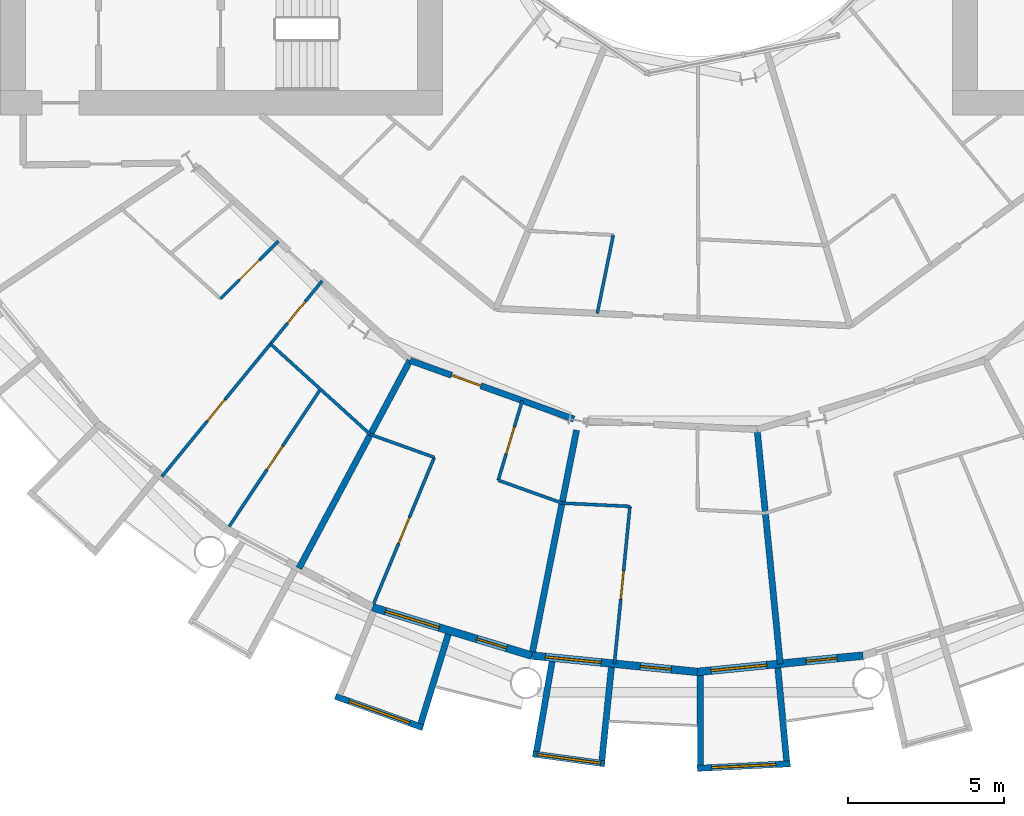
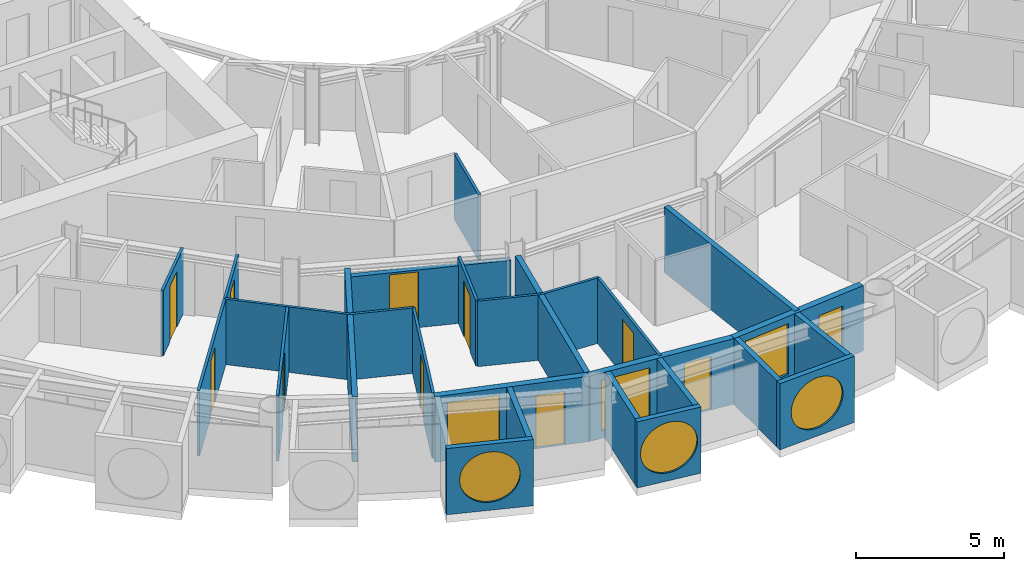
# One storey, part 13 of 25: 26 walls, 11 doors, 6 windows, 17 openings.
"""IFC4 building model written with IfcOpenShell, lengths in metres."""

from ifc_helpers import new_model, si_unit, direction, frame, frame_2d, origin, place, context, subcontext, project, spatial, rectangle, circle, extrude, material, layer, layer_set, type_object, element, fill, save


model = new_model("IFC4")

# Units and contexts
model_context = context("Model", 3, precision=1e-05, world=origin(), true_north=direction((0.0, 1.0)))
body_context = subcontext(model_context, "Body", "Model", "MODEL_VIEW")
ifc_project = project(units=[si_unit("LENGTHUNIT", "METRE"), si_unit("AREAUNIT", "SQUARE_METRE"), si_unit("VOLUMEUNIT", "CUBIC_METRE"), si_unit("PLANEANGLEUNIT", "RADIAN"), si_unit("MASSUNIT", "GRAM", prefix="KILO")], contexts=[model_context])

# Site, building, storey
site_placement = place(None, origin())
site = spatial("IfcSite", under=ifc_project, at=site_placement, CompositionType="ELEMENT")
building_placement = place(site_placement, origin())
building = spatial("IfcBuilding", under=site, at=building_placement, Name="Maasbend Ring Residences", CompositionType="ELEMENT")
storey_placement = place(building_placement, frame((0.0, 0.0, 41.10009765625)))
storey = spatial("IfcBuildingStorey", under=building, at=storey_placement, Name="L11", CompositionType="ELEMENT", Elevation=41.10009765625)

# Wall, opening, door
ifc_material_1 = material(Name="Concrete C30/37", Category="concrete")
ifc_layer_1 = layer(ifc_material_1, 0.199951171875)
ifc_layer_set_1 = layer_set([ifc_layer_1], Name="Concrete C30/37")
wall_type_1 = type_object("IfcWallType", Name="CORRIDOR WALL 200 CONCRETE", PredefinedType="PARTITIONING", material=ifc_layer_set_1)
wall_1_placement = place(storey_placement, frame((-9.239013671875, -17.285888671875, 0.0), z_axis=(0.0, 0.0, 1.0), x_axis=(0.94157995483, -0.336789531699, 0.0)))
wall_1 = element("IfcWall", 1, at=wall_1_placement, inside=storey, type_object=wall_type_1, Name="U-L11-w013", PredefinedType="PARTITIONING", context=body_context, shape_type="SweptSolid", body=[
    extrude(rectangle(XDim=5.596923828125, YDim=0.199951171875, at=frame_2d((2.79833984375, 0.0))), origin(), (0.0, 0.0, 1.0), 2.3798828125),
])
opening_1_placement = place(wall_1_placement, frame((1.4169921875, 0.0, 0.0)))
opening_1 = element("IfcOpeningElement", 2, at=opening_1_placement, cuts=wall_1, Name="Opening D-1141", PredefinedType="OPENING", context=body_context, shape_type="SweptSolid", body=[
    extrude(rectangle(XDim=1.0, YDim=2.300048828125, at=frame_2d((0.5, 1.14990234375))), frame((0.0, 0.10986328125, 0.0), z_axis=(0.0, -1.0, 0.0), x_axis=(1.0, 0.0, 0.0)), (0.0, 0.0, 1.0), 0.219970703125),
])
ifc_material_2 = material(Name="Timber, fire-rated, painted", Category="wood")
door_type_1 = type_object("IfcDoorType", Name="FLAT ENTRANCE DOOR 1000 X 2300 FIRE-RATED", OperationType="NOTDEFINED", PredefinedType="DOOR", material=ifc_material_2)
door_1_placement = place(opening_1_placement, origin())
door_1 = element("IfcDoor", 3, at=door_1_placement, inside=storey, type_object=door_type_1, Name="D-1141", OperationType="SINGLE_SWING_LEFT", OverallHeight=2.300048828125, OverallWidth=1.0, PredefinedType="DOOR", context=body_context, shape_type="SweptSolid", body=[
    extrude(rectangle(XDim=1.0, YDim=2.300048828125, at=frame_2d((0.5, 1.14990234375))), frame((0.0, 0.02490234375, 0.0), z_axis=(0.0, -1.0, 0.0), x_axis=(1.0, 0.0, 0.0)), (0.0, 0.0, 1.0), 0.050048828125),
])
fill(opening_1, door_1)

# Wall, opening, window
ifc_material_3 = material(Name="Pale anodised aluminium panel", Category="aluminium")
ifc_layer_2 = layer(ifc_material_3, 0.199951171875)
ifc_layer_set_2 = layer_set([ifc_layer_2], Name="EW-BOX")
wall_type_2 = type_object("IfcWallType", Name="EW-BOX", PredefinedType="SOLIDWALL", material=ifc_layer_set_2)
wall_2_placement = place(storey_placement, frame((-11.637939453125, -28.083984375, -0.030029296875), z_axis=(0.0, 0.0, 1.0), x_axis=(0.941461077774, -0.337121697664, 0.0)))
wall_2 = element("IfcWall", 4, at=wall_2_placement, inside=storey, type_object=wall_type_2, Name="Box front S07", PredefinedType="SOLIDWALL", context=body_context, shape_type="SweptSolid", body=[
    extrude(rectangle(XDim=2.9931640625, YDim=0.199951171875, at=frame_2d((1.49658203125, 0.0))), origin(), (0.0, 0.0, 1.0), 2.72998046875),
])
opening_2_placement = place(wall_2_placement, frame((0.45654296875, 0.0, 0.330078125)))
opening_2 = element("IfcOpeningElement", 5, at=opening_2_placement, cuts=wall_2, Name="Opening W-RD", PredefinedType="OPENING", context=body_context, shape_type="SweptSolid", body=[
    extrude(circle(Radius=1.0400390625, at=frame_2d((1.0400390625, 1.0400390625))), frame((0.0, 0.10986328125, 0.0), z_axis=(0.0, -1.0, 0.0), x_axis=(1.0, 0.0, 0.0)), (0.0, 0.0, 1.0), 0.219970703125),
])
ifc_material_4 = material(Name="Aluminium and clear glass", Category="aluminium")
window_type_1 = type_object("IfcWindowType", Name="W-RD", PartitioningType="SINGLE_PANEL", PredefinedType="WINDOW", material=ifc_material_4)
window_1_placement = place(opening_2_placement, origin())
window_1 = element("IfcWindow", 6, at=window_1_placement, inside=storey, type_object=window_type_1, Name="Round window S07", OverallHeight=2.080078125, OverallWidth=2.080078125, PartitioningType="SINGLE_PANEL", PredefinedType="WINDOW", context=body_context, shape_type="SweptSolid", body=[
    extrude(circle(Radius=1.0400390625, at=frame_2d((1.0400390625, 1.0400390625))), frame((0.0, 0.030029296875, 0.0), z_axis=(0.0, -1.0, 0.0), x_axis=(1.0, 0.0, 0.0)), (0.0, 0.0, 1.0), 0.06005859375),
])
fill(opening_2, window_1)

# Wall
wall_3_placement = place(storey_placement, frame((-8.009033203125, -26.092041015625, -0.030029296875), z_axis=(0.0, 0.0, 1.0), x_axis=(-0.293406695073, -0.955987715029, 0.0)))
element("IfcWall", 7, at=wall_3_placement, inside=storey, type_object=wall_type_2, Name="Box side wall S07 right", PredefinedType="SOLIDWALL", context=body_context, shape_type="SweptSolid", body=[
    extrude(rectangle(XDim=3.00634765625, YDim=0.199951171875, at=frame_2d((1.503173828125, 0.0))), origin(), (0.0, 0.0, 1.0), 2.72998046875),
])

# Wall, opening, window
wall_4_placement = place(storey_placement, frame((-5.2900390625, -29.93603515625, -0.030029296875), z_axis=(0.0, 0.0, 1.0), x_axis=(0.990696111261, -0.136092671119, 0.0)))
wall_4 = element("IfcWall", 8, at=wall_4_placement, inside=storey, type_object=wall_type_2, Name="Box front S09", PredefinedType="SOLIDWALL", context=body_context, shape_type="SweptSolid", body=[
    extrude(rectangle(XDim=2.335693359375, YDim=0.199951171875, at=frame_2d((1.16796875, 0.0))), origin(), (0.0, 0.0, 1.0), 2.72998046875),
])
opening_3_placement = place(wall_4_placement, frame((0.128173828125, 0.0, 0.330078125)))
opening_3 = element("IfcOpeningElement", 9, at=opening_3_placement, cuts=wall_4, Name="Opening W-RD", PredefinedType="OPENING", context=body_context, shape_type="SweptSolid", body=[
    extrude(circle(Radius=1.0400390625, at=frame_2d((1.0400390625, 1.0400390625))), frame((0.0, 0.10986328125, 0.0), z_axis=(0.0, -1.0, 0.0), x_axis=(1.0, 0.0, 0.0)), (0.0, 0.0, 1.0), 0.219970703125),
])
window_2_placement = place(opening_3_placement, origin())
window_2 = element("IfcWindow", 10, at=window_2_placement, inside=storey, type_object=window_type_1, Name="Round window S09", OverallHeight=2.080078125, OverallWidth=2.080078125, PartitioningType="SINGLE_PANEL", PredefinedType="WINDOW", context=body_context, shape_type="SweptSolid", body=[
    extrude(circle(Radius=1.0400390625, at=frame_2d((1.0400390625, 1.0400390625))), frame((0.0, 0.030029296875, 0.0), z_axis=(0.0, -1.0, 0.0), x_axis=(1.0, 0.0, 0.0)), (0.0, 0.0, 1.0), 0.06005859375),
])
fill(opening_3, window_2)

# Walls
wall_5_placement = place(storey_placement, frame((-4.6708984375, -26.966064453125, -0.030029296875), z_axis=(0.0, 0.0, 1.0), x_axis=(-0.170539878907, -0.985350774954, 0.0)))
element("IfcWall", 11, at=wall_5_placement, inside=storey, type_object=wall_type_2, Name="Box side wall S09 left", PredefinedType="SOLIDWALL", context=body_context, shape_type="SweptSolid", body=[
    extrude(rectangle(XDim=2.931884765625, YDim=0.199951171875, at=frame_2d((1.4658203125, 0.0))), origin(), (0.0, 0.0, 1.0), 2.72998046875),
])
wall_6_placement = place(storey_placement, frame((-2.763916015625, -27.153076171875, -0.030029296875), z_axis=(0.0, 0.0, 1.0), x_axis=(-0.101505487237, -0.994834979311, 0.0)))
element("IfcWall", 12, at=wall_6_placement, inside=storey, type_object=wall_type_2, Name="Box side wall S09 right", PredefinedType="SOLIDWALL", context=body_context, shape_type="SweptSolid", body=[
    extrude(rectangle(XDim=3.006591796875, YDim=0.199951171875, at=frame_2d((1.50341796875, 0.0))), origin(), (0.0, 0.0, 1.0), 2.72998046875),
])

# Wall, opening, window
wall_7_placement = place(storey_placement, frame((-0.0048828125, -30.39990234375, -0.030029296875), z_axis=(0.0, 0.0, 1.0), x_axis=(0.998794083011, 0.049095618353, 0.0)))
wall_7 = element("IfcWall", 13, at=wall_7_placement, inside=storey, type_object=wall_type_2, Name="Box front S11", PredefinedType="SOLIDWALL", context=body_context, shape_type="SweptSolid", body=[
    extrude(rectangle(XDim=2.99365234375, YDim=0.199951171875, at=frame_2d((1.496826171875, 0.0))), origin(), (0.0, 0.0, 1.0), 2.72998046875),
])
opening_4_placement = place(wall_7_placement, frame((0.45654296875, 0.0, 0.330078125)))
opening_4 = element("IfcOpeningElement", 14, at=opening_4_placement, cuts=wall_7, Name="Opening W-RD", PredefinedType="OPENING", context=body_context, shape_type="SweptSolid", body=[
    extrude(circle(Radius=1.0400390625, at=frame_2d((1.0400390625, 1.0400390625))), frame((0.0, 0.10986328125, 0.0), z_axis=(0.0, -1.0, 0.0), x_axis=(1.0, 0.0, 0.0)), (0.0, 0.0, 1.0), 0.219970703125),
])
window_3_placement = place(opening_4_placement, origin())
window_3 = element("IfcWindow", 15, at=window_3_placement, inside=storey, type_object=window_type_1, Name="Round window S11", OverallHeight=2.080078125, OverallWidth=2.080078125, PartitioningType="SINGLE_PANEL", PredefinedType="WINDOW", context=body_context, shape_type="SweptSolid", body=[
    extrude(circle(Radius=1.0400390625, at=frame_2d((1.0400390625, 1.0400390625))), frame((0.0, 0.030029296875, 0.0), z_axis=(0.0, -1.0, 0.0), x_axis=(1.0, 0.0, 0.0)), (0.0, 0.0, 1.0), 0.06005859375),
])
fill(opening_4, window_3)

# Walls
wall_8_placement = place(storey_placement, frame((0.090087890625, -27.4169921875, -0.030029296875), z_axis=(0.0, 0.0, 1.0), x_axis=(0.00347308367, -0.999993968827, 0.0)))
element("IfcWall", 16, at=wall_8_placement, inside=storey, type_object=wall_type_2, Name="Box side wall S11 left", PredefinedType="SOLIDWALL", context=body_context, shape_type="SweptSolid", body=[
    extrude(rectangle(XDim=2.882080078125, YDim=0.199951171875, at=frame_2d((1.44091796875, 0.0))), origin(), (0.0, 0.0, 1.0), 2.72998046875),
])
wall_9_placement = place(storey_placement, frame((2.5859375, -27.1708984375, -0.030029296875), z_axis=(0.0, 0.0, 1.0), x_axis=(0.094548432284, -0.995520262954, 0.0)))
element("IfcWall", 17, at=wall_9_placement, inside=storey, type_object=wall_type_2, Name="Box side wall S11 right", PredefinedType="SOLIDWALL", context=body_context, shape_type="SweptSolid", body=[
    extrude(rectangle(XDim=3.005615234375, YDim=0.199951171875, at=frame_2d((1.5029296875, 0.0))), origin(), (0.0, 0.0, 1.0), 2.72998046875),
])

# Wall, openings, door, window
ifc_material_5 = material(Name="Aluminium clad insulated panel", Category="aluminium")
ifc_layer_3 = layer(ifc_material_5, 0.25)
ifc_layer_set_3 = layer_set([ifc_layer_3], Name="EW-GL")
wall_type_3 = type_object("IfcWallType", Name="EW-GL", PredefinedType="SOLIDWALL", material=ifc_layer_set_3)
wall_10_placement = place(storey_placement, frame((-10.447021484375, -25.221923828125, 0.0), z_axis=(0.0, 0.0, 1.0), x_axis=(0.956965678721, -0.290201119486, 0.0)))
wall_10 = element("IfcWall", 18, at=wall_10_placement, inside=storey, type_object=wall_type_3, Name="External wall S04", PredefinedType="SOLIDWALL", context=body_context, shape_type="SweptSolid", body=[
    extrude(rectangle(XDim=5.351318359375, YDim=0.25, at=frame_2d((2.67578125, 0.0))), origin(), (0.0, 0.0, 1.0), 2.699951171875),
])
opening_5_placement = place(wall_10_placement, frame((0.441162109375, 0.0, 0.300048828125)))
opening_5 = element("IfcOpeningElement", 19, at=opening_5_placement, cuts=wall_10, Name="Opening W-BX", PredefinedType="OPENING", context=body_context, shape_type="SweptSolid", body=[
    extrude(rectangle(XDim=1.800048828125, YDim=2.10009765625, at=frame_2d((0.89990234375, 1.050048828125))), frame((0.0, 0.135009765625, 0.0), z_axis=(0.0, -1.0, 0.0), x_axis=(1.0, 0.0, 0.0)), (0.0, 0.0, 1.0), 0.27001953125),
])
opening_6_placement = place(wall_10_placement, frame((3.510498046875, 0.0, 0.0)))
opening_6 = element("IfcOpeningElement", 20, at=opening_6_placement, cuts=wall_10, Name="Opening D-LG", PredefinedType="OPENING", context=body_context, shape_type="SweptSolid", body=[
    extrude(rectangle(XDim=1.0, YDim=2.199951171875, at=frame_2d((0.5, 1.10009765625))), frame((0.0, 0.135009765625, 0.0), z_axis=(0.0, -1.0, 0.0), x_axis=(1.0, 0.0, 0.0)), (0.0, 0.0, 1.0), 0.27001953125),
])
ifc_material_6 = material(Name="Aluminium and clear glass", Category="aluminium")
door_type_2 = type_object("IfcDoorType", Name="D-LG", OperationType="SINGLE_SWING_LEFT", PredefinedType="DOOR", material=ifc_material_6)
door_2_placement = place(opening_6_placement, origin())
door_2 = element("IfcDoor", 21, at=door_2_placement, inside=storey, type_object=door_type_2, Name="Loggia door S08", OperationType="SINGLE_SWING_LEFT", OverallHeight=2.199951171875, OverallWidth=1.0, PredefinedType="DOOR", context=body_context, shape_type="SweptSolid", body=[
    extrude(rectangle(XDim=1.0, YDim=2.199951171875, at=frame_2d((0.5, 1.10009765625))), frame((0.0, 0.02490234375, 0.0), z_axis=(0.0, -1.0, 0.0), x_axis=(1.0, 0.0, 0.0)), (0.0, 0.0, 1.0), 0.050048828125),
])
fill(opening_6, door_2)
ifc_material_7 = material(Name="Aluminium and clear glass", Category="aluminium")
window_type_2 = type_object("IfcWindowType", Name="W-BX", PartitioningType="DOUBLE_PANEL_VERTICAL", PredefinedType="WINDOW", material=ifc_material_7)
window_4_placement = place(opening_5_placement, origin())
window_4 = element("IfcWindow", 22, at=window_4_placement, inside=storey, type_object=window_type_2, Name="Window S07 room to box", OverallHeight=2.10009765625, OverallWidth=1.800048828125, PartitioningType="SINGLE_PANEL", PredefinedType="WINDOW", context=body_context, shape_type="SweptSolid", body=[
    extrude(rectangle(XDim=1.800048828125, YDim=2.10009765625, at=frame_2d((0.89990234375, 1.050048828125))), frame((0.0, 0.030029296875, 0.0), z_axis=(0.0, -1.0, 0.0), x_axis=(1.0, 0.0, 0.0)), (0.0, 0.0, 1.0), 0.06005859375),
])
fill(opening_5, window_4)

wall_11_placement = place(storey_placement, frame((-5.325927734375, -26.77490234375, 0.0), z_axis=(0.0, 0.0, 1.0), x_axis=(0.995173996315, -0.098126026407, 0.0)))
wall_11 = element("IfcWall", 23, at=wall_11_placement, inside=storey, type_object=wall_type_3, Name="External wall S05", PredefinedType="SOLIDWALL", context=body_context, shape_type="SweptSolid", body=[
    extrude(rectangle(XDim=5.351806640625, YDim=0.25, at=frame_2d((2.67578125, 0.0))), origin(), (0.0, 0.0, 1.0), 2.699951171875),
])
opening_7_placement = place(wall_11_placement, frame((0.441162109375, 0.0, 0.300048828125)))
opening_7 = element("IfcOpeningElement", 24, at=opening_7_placement, cuts=wall_11, Name="Opening W-BX", PredefinedType="OPENING", context=body_context, shape_type="SweptSolid", body=[
    extrude(rectangle(XDim=1.800048828125, YDim=2.10009765625, at=frame_2d((0.89990234375, 1.050048828125))), frame((0.0, 0.135009765625, 0.0), z_axis=(0.0, -1.0, 0.0), x_axis=(1.0, 0.0, 0.0)), (0.0, 0.0, 1.0), 0.27001953125),
])
opening_8_placement = place(wall_11_placement, frame((3.510498046875, 0.0, 0.0)))
opening_8 = element("IfcOpeningElement", 25, at=opening_8_placement, cuts=wall_11, Name="Opening D-LG", PredefinedType="OPENING", context=body_context, shape_type="SweptSolid", body=[
    extrude(rectangle(XDim=1.0, YDim=2.199951171875, at=frame_2d((0.5, 1.10009765625))), frame((0.0, 0.135009765625, 0.0), z_axis=(0.0, -1.0, 0.0), x_axis=(1.0, 0.0, 0.0)), (0.0, 0.0, 1.0), 0.27001953125),
])
door_3_placement = place(opening_8_placement, origin())
door_3 = element("IfcDoor", 26, at=door_3_placement, inside=storey, type_object=door_type_2, Name="Loggia door S10", OperationType="SINGLE_SWING_LEFT", OverallHeight=2.199951171875, OverallWidth=1.0, PredefinedType="DOOR", context=body_context, shape_type="SweptSolid", body=[
    extrude(rectangle(XDim=1.0, YDim=2.199951171875, at=frame_2d((0.5, 1.10009765625))), frame((0.0, 0.02490234375, 0.0), z_axis=(0.0, -1.0, 0.0), x_axis=(1.0, 0.0, 0.0)), (0.0, 0.0, 1.0), 0.050048828125),
])
fill(opening_8, door_3)
window_5_placement = place(opening_7_placement, origin())
window_5 = element("IfcWindow", 27, at=window_5_placement, inside=storey, type_object=window_type_2, Name="Window S09 room to box", OverallHeight=2.10009765625, OverallWidth=1.800048828125, PartitioningType="SINGLE_PANEL", PredefinedType="WINDOW", context=body_context, shape_type="SweptSolid", body=[
    extrude(rectangle(XDim=1.800048828125, YDim=2.10009765625, at=frame_2d((0.89990234375, 1.050048828125))), frame((0.0, 0.030029296875, 0.0), z_axis=(0.0, -1.0, 0.0), x_axis=(1.0, 0.0, 0.0)), (0.0, 0.0, 1.0), 0.06005859375),
])
fill(opening_7, window_5)

wall_12_placement = place(storey_placement, frame((0.0, -27.300048828125, 0.0), z_axis=(0.0, 0.0, 1.0), x_axis=(0.995173996315, 0.098126026407, 0.0)))
wall_12 = element("IfcWall", 28, at=wall_12_placement, inside=storey, type_object=wall_type_3, Name="External wall S06", PredefinedType="SOLIDWALL", context=body_context, shape_type="SweptSolid", body=[
    extrude(rectangle(XDim=5.351806640625, YDim=0.25, at=frame_2d((2.67578125, 0.0))), origin(), (0.0, 0.0, 1.0), 2.699951171875),
])
opening_9_placement = place(wall_12_placement, frame((0.441162109375, 0.0, 0.300048828125)))
opening_9 = element("IfcOpeningElement", 29, at=opening_9_placement, cuts=wall_12, Name="Opening W-BX", PredefinedType="OPENING", context=body_context, shape_type="SweptSolid", body=[
    extrude(rectangle(XDim=1.800048828125, YDim=2.10009765625, at=frame_2d((0.89990234375, 1.050048828125))), frame((0.0, 0.135009765625, 0.0), z_axis=(0.0, -1.0, 0.0), x_axis=(1.0, 0.0, 0.0)), (0.0, 0.0, 1.0), 0.27001953125),
])
opening_10_placement = place(wall_12_placement, frame((3.510498046875, 0.0, 0.0)))
opening_10 = element("IfcOpeningElement", 30, at=opening_10_placement, cuts=wall_12, Name="Opening D-LG", PredefinedType="OPENING", context=body_context, shape_type="SweptSolid", body=[
    extrude(rectangle(XDim=1.0, YDim=2.199951171875, at=frame_2d((0.5, 1.10009765625))), frame((0.0, 0.135009765625, 0.0), z_axis=(0.0, -1.0, 0.0), x_axis=(1.0, 0.0, 0.0)), (0.0, 0.0, 1.0), 0.27001953125),
])
door_4_placement = place(opening_10_placement, origin())
door_4 = element("IfcDoor", 31, at=door_4_placement, inside=storey, type_object=door_type_2, Name="Loggia door S12", OperationType="SINGLE_SWING_LEFT", OverallHeight=2.199951171875, OverallWidth=1.0, PredefinedType="DOOR", context=body_context, shape_type="SweptSolid", body=[
    extrude(rectangle(XDim=1.0, YDim=2.199951171875, at=frame_2d((0.5, 1.10009765625))), frame((0.0, 0.02490234375, 0.0), z_axis=(0.0, -1.0, 0.0), x_axis=(1.0, 0.0, 0.0)), (0.0, 0.0, 1.0), 0.050048828125),
])
fill(opening_10, door_4)
window_6_placement = place(opening_9_placement, origin())
window_6 = element("IfcWindow", 32, at=window_6_placement, inside=storey, type_object=window_type_2, Name="Window S11 room to box", OverallHeight=2.10009765625, OverallWidth=1.800048828125, PartitioningType="SINGLE_PANEL", PredefinedType="WINDOW", context=body_context, shape_type="SweptSolid", body=[
    extrude(rectangle(XDim=1.800048828125, YDim=2.10009765625, at=frame_2d((0.89990234375, 1.050048828125))), frame((0.0, 0.030029296875, 0.0), z_axis=(0.0, -1.0, 0.0), x_axis=(1.0, 0.0, 0.0)), (0.0, 0.0, 1.0), 0.06005859375),
])
fill(opening_9, window_6)

# Walls
ifc_material_8 = material(Name="Gypsum board on steel studs", Category="steel")
ifc_layer_4 = layer(ifc_material_8, 0.10009765625)
ifc_layer_set_4 = layer_set([ifc_layer_4], Name="PARTITION 100 GYPSUM")
wall_type_4 = type_object("IfcWallType", Name="PARTITION 100 GYPSUM", PredefinedType="PARTITIONING", material=ifc_layer_set_4)
wall_13_placement = place(storey_placement, frame((-10.511962890625, -19.6669921875, 0.0), z_axis=(0.0, 0.0, 1.0), x_axis=(0.94151635689, -0.336967282847, 0.0)))
element("IfcWall", 33, at=wall_13_placement, inside=storey, type_object=wall_type_4, Name="U-L11-w001", PredefinedType="PARTITIONING", context=body_context, shape_type="SweptSolid", body=[
    extrude(rectangle(XDim=2.181640625, YDim=0.10009765625, at=frame_2d((1.0908203125, 0.0))), origin(), (0.0, 0.0, 1.0), 2.699951171875),
])
wall_14_placement = place(storey_placement, frame((-6.40087890625, -21.137939453125, 0.0), z_axis=(0.0, 0.0, 1.0), x_axis=(0.941465495635, -0.337109359895, 0.0)))
element("IfcWall", 34, at=wall_14_placement, inside=storey, type_object=wall_type_4, Name="U-L11-w002", PredefinedType="PARTITIONING", context=body_context, shape_type="SweptSolid", body=[
    extrude(rectangle(XDim=2.1806640625, YDim=0.10009765625, at=frame_2d((1.09033203125, 0.0))), origin(), (0.0, 0.0, 1.0), 2.699951171875),
])
wall_15_placement = place(storey_placement, frame((-4.35107421875, -21.8720703125, 0.0), z_axis=(0.0, 0.0, 1.0), x_axis=(0.998797962079, -0.049016639484, 0.0)))
element("IfcWall", 35, at=wall_15_placement, inside=storey, type_object=wall_type_4, Name="U-L11-w003", PredefinedType="PARTITIONING", context=body_context, shape_type="SweptSolid", body=[
    extrude(rectangle(XDim=2.181640625, YDim=0.10009765625, at=frame_2d((1.0908203125, 0.0))), origin(), (0.0, 0.0, 1.0), 2.699951171875),
])
wall_16_placement = place(storey_placement, frame((-13.72705078125, -16.75390625, 0.0), z_axis=(0.0, 0.0, 1.0), x_axis=(0.740840803797, -0.671680655839, 0.0)))
element("IfcWall", 36, at=wall_16_placement, inside=storey, type_object=wall_type_4, Name="U-L11-w010", PredefinedType="PARTITIONING", context=body_context, shape_type="SweptSolid", body=[
    extrude(rectangle(XDim=4.33837890625, YDim=0.10009765625, at=frame_2d((2.169189453125, 0.0))), origin(), (0.0, 0.0, 1.0), 2.699951171875),
])

# Wall, openings, doors
wall_17_placement = place(storey_placement, frame((-17.219970703125, -21.02197265625, 0.0), z_axis=(0.0, 0.0, 1.0), x_axis=(0.633794691983, 0.773501317655, 0.0)))
wall_17 = element("IfcWall", 37, at=wall_17_placement, inside=storey, type_object=wall_type_4, Name="U-L11-w036", PredefinedType="PARTITIONING", context=body_context, shape_type="SweptSolid", body=[
    extrude(rectangle(XDim=8.13818359375, YDim=0.10009765625, at=frame_2d((4.069091796875, 0.0))), origin(), (0.0, 0.0, 1.0), 2.699951171875),
])
opening_11_placement = place(wall_17_placement, frame((6.376953125, 0.0, 0.0)))
opening_11 = element("IfcOpeningElement", 38, at=opening_11_placement, cuts=wall_17, Name="Opening D-1138", PredefinedType="OPENING", context=body_context, shape_type="SweptSolid", body=[
    extrude(rectangle(XDim=0.89990234375, YDim=2.300048828125, at=frame_2d((0.449951171875, 1.14990234375))), frame((0.0, 0.06005859375, 0.0), z_axis=(0.0, -1.0, 0.0), x_axis=(1.0, 0.0, 0.0)), (0.0, 0.0, 1.0), 0.1201171875),
])
opening_12_placement = place(wall_17_placement, frame((2.305908203125, 0.0, 0.0)))
opening_12 = element("IfcOpeningElement", 39, at=opening_12_placement, cuts=wall_17, Name="Opening D-1139", PredefinedType="OPENING", context=body_context, shape_type="SweptSolid", body=[
    extrude(rectangle(XDim=0.89990234375, YDim=2.300048828125, at=frame_2d((0.449951171875, 1.14990234375))), frame((0.0, 0.06005859375, 0.0), z_axis=(0.0, -1.0, 0.0), x_axis=(1.0, 0.0, 0.0)), (0.0, 0.0, 1.0), 0.1201171875),
])
ifc_material_9 = material(Name="Timber, painted", Category="wood")
door_type_3 = type_object("IfcDoorType", Name="INTERNAL DOOR 900 X 2300", OperationType="NOTDEFINED", PredefinedType="DOOR", material=ifc_material_9)
door_5_placement = place(opening_11_placement, origin())
door_5 = element("IfcDoor", 40, at=door_5_placement, inside=storey, type_object=door_type_3, Name="D-1138", OperationType="SINGLE_SWING_RIGHT", OverallHeight=2.300048828125, OverallWidth=0.89990234375, PredefinedType="DOOR", context=body_context, shape_type="SweptSolid", body=[
    extrude(rectangle(XDim=0.89990234375, YDim=2.300048828125, at=frame_2d((0.449951171875, 1.14990234375))), frame((0.0, 0.02490234375, 0.0), z_axis=(0.0, -1.0, 0.0), x_axis=(1.0, 0.0, 0.0)), (0.0, 0.0, 1.0), 0.050048828125),
])
fill(opening_11, door_5)
door_6_placement = place(opening_12_placement, origin())
door_6 = element("IfcDoor", 41, at=door_6_placement, inside=storey, type_object=door_type_3, Name="D-1139", OperationType="SINGLE_SWING_LEFT", OverallHeight=2.300048828125, OverallWidth=0.89990234375, PredefinedType="DOOR", context=body_context, shape_type="SweptSolid", body=[
    extrude(rectangle(XDim=0.89990234375, YDim=2.300048828125, at=frame_2d((0.449951171875, 1.14990234375))), frame((0.0, 0.02490234375, 0.0), z_axis=(0.0, -1.0, 0.0), x_axis=(1.0, 0.0, 0.0)), (0.0, 0.0, 1.0), 0.050048828125),
])
fill(opening_12, door_6)

# Wall, opening, door
wall_18_placement = place(storey_placement, frame((-15.330078125, -15.300048828125, 0.0), z_axis=(0.0, 0.0, 1.0), x_axis=(0.707851299421, 0.706361478217, 0.0)))
wall_18 = element("IfcWall", 42, at=wall_18_placement, inside=storey, type_object=wall_type_4, Name="U-L11-w039", PredefinedType="PARTITIONING", context=body_context, shape_type="SweptSolid", body=[
    extrude(rectangle(XDim=2.6220703125, YDim=0.10009765625, at=frame_2d((1.31103515625, 0.0))), origin(), (0.0, 0.0, 1.0), 2.699951171875),
])
opening_13_placement = place(wall_18_placement, frame((0.861083984375, 0.0, 0.0)))
opening_13 = element("IfcOpeningElement", 43, at=opening_13_placement, cuts=wall_18, Name="Opening D-1137", PredefinedType="OPENING", context=body_context, shape_type="SweptSolid", body=[
    extrude(rectangle(XDim=0.89990234375, YDim=2.300048828125, at=frame_2d((0.449951171875, 1.14990234375))), frame((0.0, 0.06005859375, 0.0), z_axis=(0.0, -1.0, 0.0), x_axis=(1.0, 0.0, 0.0)), (0.0, 0.0, 1.0), 0.1201171875),
])
door_7_placement = place(opening_13_placement, origin())
door_7 = element("IfcDoor", 44, at=door_7_placement, inside=storey, type_object=door_type_3, Name="D-1137", OperationType="SINGLE_SWING_RIGHT", OverallHeight=2.300048828125, OverallWidth=0.89990234375, PredefinedType="DOOR", context=body_context, shape_type="SweptSolid", body=[
    extrude(rectangle(XDim=0.89990234375, YDim=2.300048828125, at=frame_2d((0.449951171875, 1.14990234375))), frame((0.0, 0.02490234375, 0.0), z_axis=(0.0, -1.0, 0.0), x_axis=(1.0, 0.0, 0.0)), (0.0, 0.0, 1.0), 0.050048828125),
])
fill(opening_13, door_7)

wall_19_placement = place(storey_placement, frame((-15.053955078125, -22.6240234375, 0.0), z_axis=(0.0, 0.0, 1.0), x_axis=(0.553913391217, 0.832574294, 0.0)))
wall_19 = element("IfcWall", 45, at=wall_19_placement, inside=storey, type_object=wall_type_4, Name="U-L11-w041", PredefinedType="PARTITIONING", context=body_context, shape_type="SweptSolid", body=[
    extrude(rectangle(XDim=5.300537109375, YDim=0.10009765625, at=frame_2d((2.650390625, 0.0))), origin(), (0.0, 0.0, 1.0), 2.699951171875),
])
opening_14_placement = place(wall_19_placement, frame((2.199951171875, 0.0, 0.0)))
opening_14 = element("IfcOpeningElement", 46, at=opening_14_placement, cuts=wall_19, Name="Opening D-1140", PredefinedType="OPENING", context=body_context, shape_type="SweptSolid", body=[
    extrude(rectangle(XDim=0.89990234375, YDim=2.300048828125, at=frame_2d((0.449951171875, 1.14990234375))), frame((0.0, 0.06005859375, 0.0), z_axis=(0.0, -1.0, 0.0), x_axis=(1.0, 0.0, 0.0)), (0.0, 0.0, 1.0), 0.1201171875),
])
door_8_placement = place(opening_14_placement, origin())
door_8 = element("IfcDoor", 47, at=door_8_placement, inside=storey, type_object=door_type_3, Name="D-1140", OperationType="SINGLE_SWING_RIGHT", OverallHeight=2.300048828125, OverallWidth=0.89990234375, PredefinedType="DOOR", context=body_context, shape_type="SweptSolid", body=[
    extrude(rectangle(XDim=0.89990234375, YDim=2.300048828125, at=frame_2d((0.449951171875, 1.14990234375))), frame((0.0, 0.02490234375, 0.0), z_axis=(0.0, -1.0, 0.0), x_axis=(1.0, 0.0, 0.0)), (0.0, 0.0, 1.0), 0.050048828125),
])
fill(opening_14, door_8)

wall_20_placement = place(storey_placement, frame((-10.406982421875, -25.10302734375, 0.0), z_axis=(0.0, 0.0, 1.0), x_axis=(0.382983071721, 0.923755360891, 0.0)))
wall_20 = element("IfcWall", 48, at=wall_20_placement, inside=storey, type_object=wall_type_4, Name="U-L11-w045", PredefinedType="PARTITIONING", context=body_context, shape_type="SweptSolid", body=[
    extrude(rectangle(XDim=5.0888671875, YDim=0.10009765625, at=frame_2d((2.54443359375, 0.0))), origin(), (0.0, 0.0, 1.0), 2.699951171875),
])
opening_15_placement = place(wall_20_placement, frame((2.094970703125, 0.0, 0.0)))
opening_15 = element("IfcOpeningElement", 49, at=opening_15_placement, cuts=wall_20, Name="Opening D-1143", PredefinedType="OPENING", context=body_context, shape_type="SweptSolid", body=[
    extrude(rectangle(XDim=0.89990234375, YDim=2.300048828125, at=frame_2d((0.449951171875, 1.14990234375))), frame((0.0, 0.06005859375, 0.0), z_axis=(0.0, -1.0, 0.0), x_axis=(1.0, 0.0, 0.0)), (0.0, 0.0, 1.0), 0.1201171875),
])
door_9_placement = place(opening_15_placement, origin())
door_9 = element("IfcDoor", 50, at=door_9_placement, inside=storey, type_object=door_type_3, Name="D-1143", OperationType="SINGLE_SWING_RIGHT", OverallHeight=2.300048828125, OverallWidth=0.89990234375, PredefinedType="DOOR", context=body_context, shape_type="SweptSolid", body=[
    extrude(rectangle(XDim=0.89990234375, YDim=2.300048828125, at=frame_2d((0.449951171875, 1.14990234375))), frame((0.0, 0.02490234375, 0.0), z_axis=(0.0, -1.0, 0.0), x_axis=(1.0, 0.0, 0.0)), (0.0, 0.0, 1.0), 0.050048828125),
])
fill(opening_15, door_9)

wall_21_placement = place(storey_placement, frame((-6.404052734375, -21.136962890625, 0.0), z_axis=(0.0, 0.0, 1.0), x_axis=(0.289792063283, 0.957089630107, 0.0)))
wall_21 = element("IfcWall", 51, at=wall_21_placement, inside=storey, type_object=wall_type_4, Name="U-L11-w055", PredefinedType="PARTITIONING", context=body_context, shape_type="SweptSolid", body=[
    extrude(rectangle(XDim=2.6748046875, YDim=0.10009765625, at=frame_2d((1.33740234375, 0.0))), origin(), (0.0, 0.0, 1.0), 2.699951171875),
])
opening_16_placement = place(wall_21_placement, frame((0.886962890625, 0.0, 0.0)))
opening_16 = element("IfcOpeningElement", 52, at=opening_16_placement, cuts=wall_21, Name="Opening D-1142", PredefinedType="OPENING", context=body_context, shape_type="SweptSolid", body=[
    extrude(rectangle(XDim=0.89990234375, YDim=2.300048828125, at=frame_2d((0.449951171875, 1.14990234375))), frame((0.0, 0.06005859375, 0.0), z_axis=(0.0, -1.0, 0.0), x_axis=(1.0, 0.0, 0.0)), (0.0, 0.0, 1.0), 0.1201171875),
])
door_10_placement = place(opening_16_placement, origin())
door_10 = element("IfcDoor", 53, at=door_10_placement, inside=storey, type_object=door_type_3, Name="D-1142", OperationType="SINGLE_SWING_RIGHT", OverallHeight=2.300048828125, OverallWidth=0.89990234375, PredefinedType="DOOR", context=body_context, shape_type="SweptSolid", body=[
    extrude(rectangle(XDim=0.89990234375, YDim=2.300048828125, at=frame_2d((0.449951171875, 1.14990234375))), frame((0.0, 0.02490234375, 0.0), z_axis=(0.0, -1.0, 0.0), x_axis=(1.0, 0.0, 0.0)), (0.0, 0.0, 1.0), 0.050048828125),
])
fill(opening_16, door_10)

# Wall
wall_22_placement = place(storey_placement, frame((-3.218017578125, -15.77294921875, 0.0), z_axis=(0.0, 0.0, 1.0), x_axis=(0.199820523641, 0.979832515449, 0.0)))
element("IfcWall", 54, at=wall_22_placement, inside=storey, type_object=wall_type_4, Name="U-L11-w058", PredefinedType="PARTITIONING", context=body_context, shape_type="SweptSolid", body=[
    extrude(rectangle(XDim=2.57177734375, YDim=0.10009765625, at=frame_2d((1.285888671875, 0.0))), origin(), (0.0, 0.0, 1.0), 2.699951171875),
])

# Wall, opening, door
wall_23_placement = place(storey_placement, frame((-2.66796875, -27.04296875, 0.0), z_axis=(0.0, 0.0, 1.0), x_axis=(0.098259061871, 0.99516086979, 0.0)))
wall_23 = element("IfcWall", 55, at=wall_23_placement, inside=storey, type_object=wall_type_4, Name="U-L11-w061", PredefinedType="PARTITIONING", context=body_context, shape_type="SweptSolid", body=[
    extrude(rectangle(XDim=5.088623046875, YDim=0.10009765625, at=frame_2d((2.54443359375, 0.0))), origin(), (0.0, 0.0, 1.0), 2.699951171875),
])
opening_17_placement = place(wall_23_placement, frame((2.093994140625, 0.0, 0.0)))
opening_17 = element("IfcOpeningElement", 56, at=opening_17_placement, cuts=wall_23, Name="Opening D-1146", PredefinedType="OPENING", context=body_context, shape_type="SweptSolid", body=[
    extrude(rectangle(XDim=0.89990234375, YDim=2.300048828125, at=frame_2d((0.449951171875, 1.14990234375))), frame((0.0, 0.06005859375, 0.0), z_axis=(0.0, -1.0, 0.0), x_axis=(1.0, 0.0, 0.0)), (0.0, 0.0, 1.0), 0.1201171875),
])
door_11_placement = place(opening_17_placement, origin())
door_11 = element("IfcDoor", 57, at=door_11_placement, inside=storey, type_object=door_type_3, Name="D-1146", OperationType="SINGLE_SWING_LEFT", OverallHeight=2.300048828125, OverallWidth=0.89990234375, PredefinedType="DOOR", context=body_context, shape_type="SweptSolid", body=[
    extrude(rectangle(XDim=0.89990234375, YDim=2.300048828125, at=frame_2d((0.449951171875, 1.14990234375))), frame((0.0, 0.02490234375, 0.0), z_axis=(0.0, -1.0, 0.0), x_axis=(1.0, 0.0, 0.0)), (0.0, 0.0, 1.0), 0.050048828125),
])
fill(opening_17, door_11)

# Walls
ifc_material_10 = material(Name="Concrete C30/37", Category="concrete")
ifc_layer_5 = layer(ifc_material_10, 0.199951171875)
ifc_layer_set_5 = layer_set([ifc_layer_5], Name="Concrete C30/37")
wall_type_5 = type_object("IfcWallType", Name="PARTY WALL 200 CONCRETE", PredefinedType="PARTITIONING", material=ifc_layer_set_5)
wall_24_placement = place(storey_placement, frame((-12.81005859375, -23.966064453125, 0.0), z_axis=(0.0, 0.0, 1.0), x_axis=(0.471439510802, 0.881898399848, 0.0)))
element("IfcWall", 58, at=wall_24_placement, inside=storey, type_object=wall_type_5, Name="U-L11-w042", PredefinedType="PARTITIONING", context=body_context, shape_type="SweptSolid", body=[
    extrude(rectangle(XDim=7.57470703125, YDim=0.199951171875, at=frame_2d((3.787353515625, 0.0))), origin(), (0.0, 0.0, 1.0), 2.699951171875),
])
wall_25_placement = place(storey_placement, frame((-5.301025390625, -26.653076171875, 0.0), z_axis=(0.0, 0.0, 1.0), x_axis=(0.195056101659, 0.980792086635, 0.0)))
element("IfcWall", 59, at=wall_25_placement, inside=storey, type_object=wall_type_5, Name="U-L11-w056", PredefinedType="PARTITIONING", context=body_context, shape_type="SweptSolid", body=[
    extrude(rectangle(XDim=7.2646484375, YDim=0.199951171875, at=frame_2d((3.63232421875, 0.0))), origin(), (0.0, 0.0, 1.0), 2.699951171875),
])
wall_26_placement = place(storey_placement, frame((1.9208984375, -19.506103515625, 0.0), z_axis=(0.0, 0.0, 1.0), x_axis=(0.098115395479, -0.995175044487, 0.0)))
element("IfcWall", 60, at=wall_26_placement, inside=storey, type_object=wall_type_5, Name="U-L11-w066", PredefinedType="PARTITIONING", context=body_context, shape_type="SweptSolid", body=[
    extrude(rectangle(XDim=7.574462890625, YDim=0.199951171875, at=frame_2d((3.787109375, 0.0))), origin(), (0.0, 0.0, 1.0), 2.699951171875),
])

save(model, "model.ifc")
